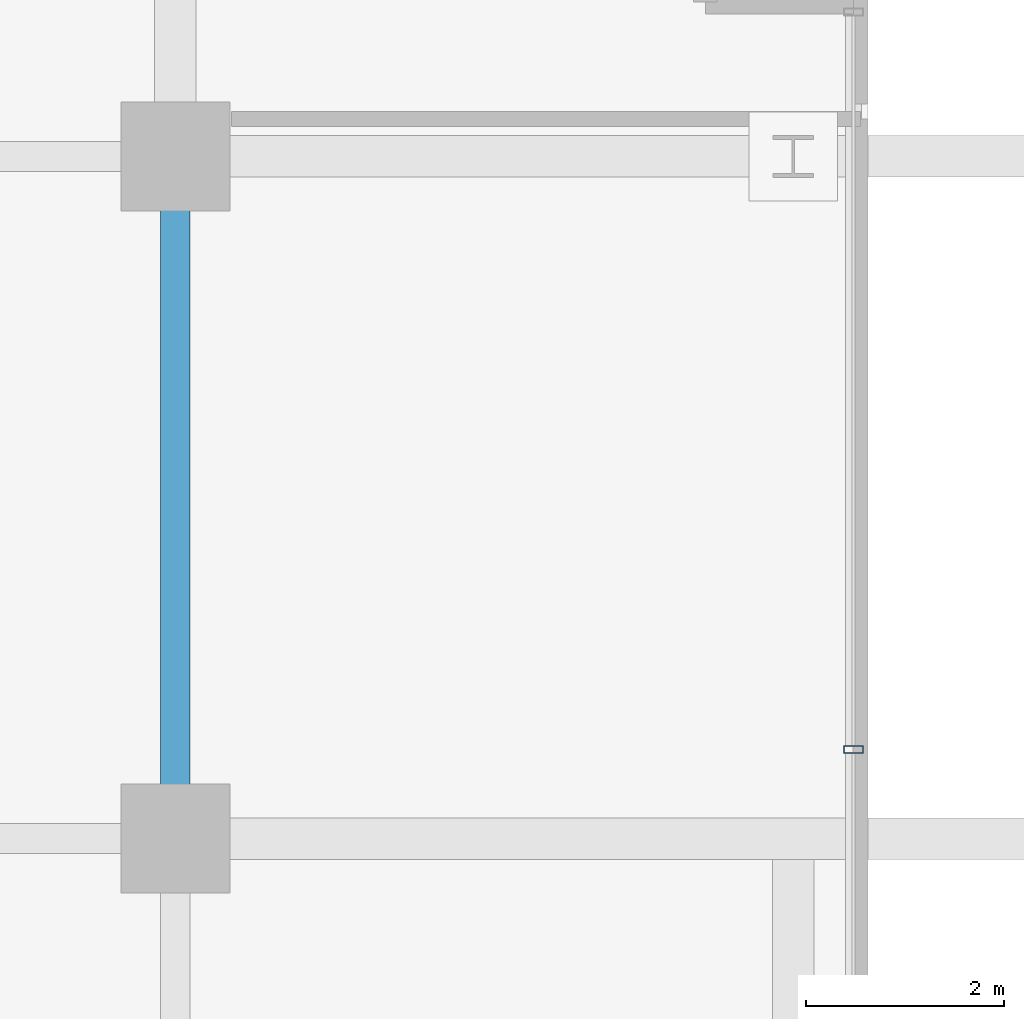
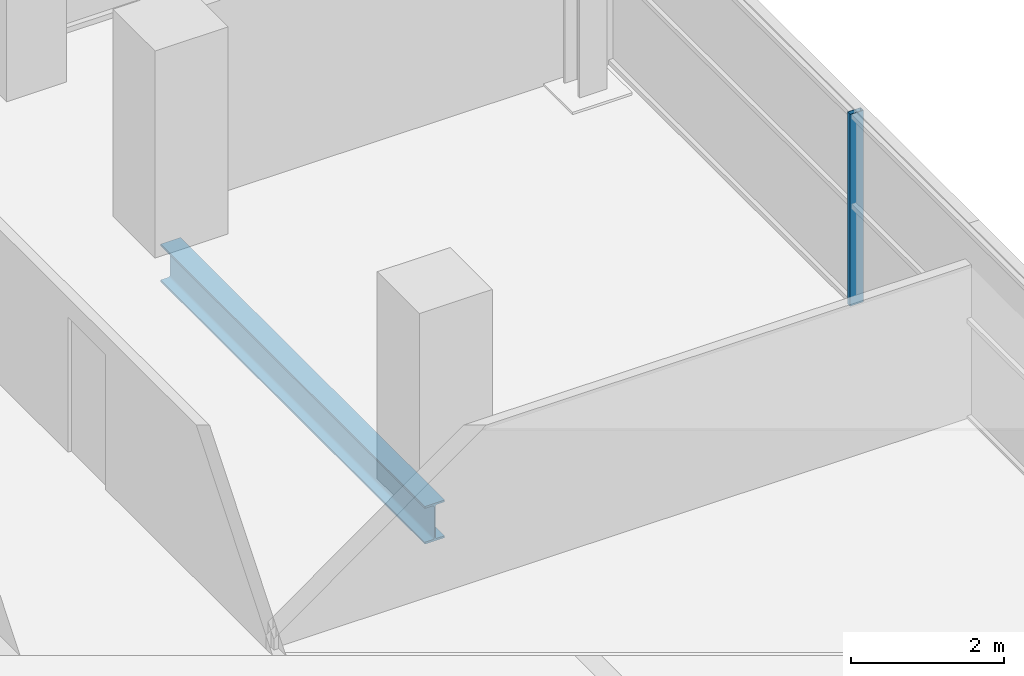
# One storey, part 16 of 32: 1 beam, 1 member, 1 element without a shape of its own.
"""IFC4 building model written with IfcOpenShell, lengths in metres."""

from ifc_helpers import new_model, si_unit, direction, frame, origin, origin_2d, place, context, subcontext, project, spatial, hollow_rectangle, i_section, extrude, source, transform, mapped, material, layer, layer_set, material_profile, profile_set, type_object, element, aggregate, save


model = new_model("IFC4")

# Units and contexts
model_context = context("Model", 3, precision=1e-05, world=origin(), true_north=direction((0.0, 1.0)))
body_context = subcontext(model_context, "Body", "Model", "MODEL_VIEW")
ifc_project = project(units=[si_unit("LENGTHUNIT", "METRE"), si_unit("AREAUNIT", "SQUARE_METRE"), si_unit("VOLUMEUNIT", "CUBIC_METRE"), si_unit("PLANEANGLEUNIT", "RADIAN"), si_unit("MASSUNIT", "GRAM", prefix="KILO")], contexts=[model_context])

# Site, building, storey
site_placement = place(None, origin())
site = spatial("IfcSite", under=ifc_project, at=site_placement, CompositionType="ELEMENT")
building_placement = place(site_placement, origin())
building = spatial("IfcBuilding", under=site, at=building_placement, Name="Zarnakvel Exchange Tower", CompositionType="ELEMENT")
storey_placement = place(building_placement, frame((0.0, 0.0, 27.39990234375)))
storey = spatial("IfcBuildingStorey", under=building, at=storey_placement, Name="L06", CompositionType="ELEMENT", Elevation=27.39990234375)

# Beam
ifc_material_1 = material(Name="Steel S355", Category="steel")
ifc_material_profile_1 = material_profile(ifc_material_1, i_section(OverallWidth=0.300048828125, OverallDepth=0.60009765625, WebThickness=0.015380859375, FlangeThickness=0.030029296875, FilletRadius=0.027099609375, at=origin_2d()))
ifc_profile_set_1 = profile_set([ifc_material_profile_1], Name="Steel S355")
beam_type = type_object("IfcBeamType", Name="G-04", PredefinedType="BEAM", material=ifc_profile_set_1)
beam_placement = place(storey_placement, frame((21.60009765625, 6.60009765625, -0.5498046875), z_axis=(0.0, 1.0, 0.0), x_axis=(-1.0, 0.0, 0.0)))
element("IfcBeam", 1, at=beam_placement, inside=storey, type_object=beam_type, Name="L06 Tower N-S Frame Beam", PredefinedType="BEAM", context=body_context, shape_type="SweptSolid", body=[
    extrude(i_section(OverallWidth=0.300048828125, OverallDepth=0.60009765625, WebThickness=0.015380859375, FlangeThickness=0.030029296875, FilletRadius=0.027099609375, at=origin_2d()), origin(), (0.0, 0.0, 1.0), 6.89990234375),
])

# Curtain wall, member
ifc_material_2 = material(Name="Architectural Bronze Anodised Aluminium", Category="aluminium")
ifc_layer = layer(ifc_material_2, 0.199951171875)
ifc_layer_set = layer_set([ifc_layer], Name="Architectural Bronze Anodised Aluminium")
curtain_wall_type = type_object("IfcCurtainWallType", Name="CW-04", PredefinedType="NOTDEFINED", material=ifc_layer_set)
curtain_wall_placement = place(storey_placement, origin())
curtain_wall = element("IfcCurtainWall", 2, at=curtain_wall_placement, inside=storey, type_object=curtain_wall_type, Name="L06 Curtain Wall CW-L06-E1 (CW-04)", PredefinedType="NOTDEFINED")
ifc_material_profile_2 = material_profile(ifc_material_2, hollow_rectangle(XDim=0.199951171875, YDim=0.074951171875, WallThickness=0.0048828125, at=origin_2d()))
ifc_profile_set_2 = profile_set([ifc_material_profile_2], Name="Architectural Bronze Anodised Aluminium")
member_type = type_object("IfcMemberType", Name="CWM-04", PredefinedType="MULLION", material=ifc_profile_set_2)
shared_shape = source(origin(), body_context, "Body", "SweptSolid", [
    extrude(hollow_rectangle(XDim=0.199951171875, YDim=0.074951171875, WallThickness=0.0048828125, at=origin_2d()), origin(), (0.0, 0.0, 1.0), 3.05517578125),
])
member_placement = place(storey_placement, frame((28.4599609375, 7.5, 0.0), z_axis=(0.0, 0.0, 1.0), x_axis=(-1.0, 0.0, 0.0)))
member = element("IfcMember", 3, at=member_placement, type_object=member_type, Name="CW-04 mullion 4", PredefinedType="MULLION", context=body_context, shape_type="MappedRepresentation", body=[
    mapped(shared_shape, transform((0.0, 0.0, 0.0), x_axis=(1.0, 0.0, 0.0), y_axis=(0.0, 1.0, 0.0), z_axis=(0.0, 0.0, 1.0), scale=1.0)),
])
aggregate(curtain_wall, [member])

save(model, "model.ifc")
